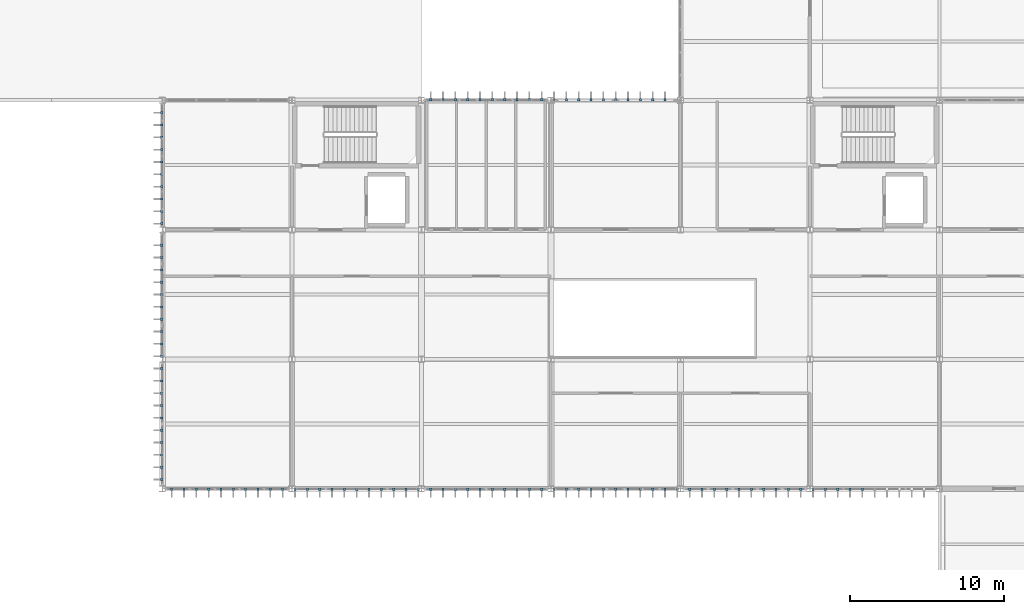
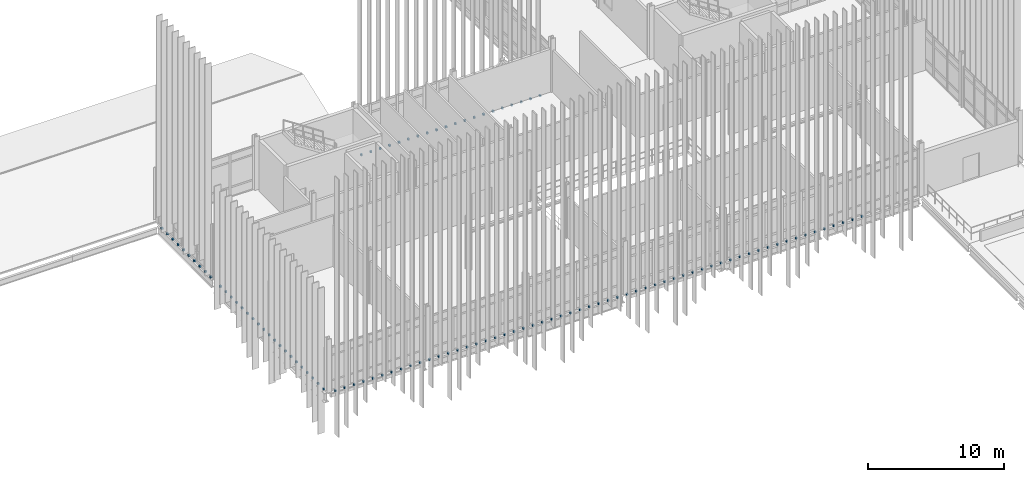
# One storey, part 136 of 153: 107 discrete accessories.
"""IFC4 building model written with IfcOpenShell, lengths in metres."""

from ifc_helpers import new_model, si_unit, direction, frame, origin, origin_2d, place, context, subcontext, project, spatial, rectangle, extrude, material, type_object, element, save


model = new_model("IFC4")

# Units and contexts
model_context = context("Model", 3, precision=1e-05, world=origin(), true_north=direction((0.0, 1.0)))
body_context = subcontext(model_context, "Body", "Model", "MODEL_VIEW")
ifc_project = project(units=[si_unit("LENGTHUNIT", "METRE"), si_unit("AREAUNIT", "SQUARE_METRE"), si_unit("VOLUMEUNIT", "CUBIC_METRE"), si_unit("PLANEANGLEUNIT", "RADIAN"), si_unit("MASSUNIT", "GRAM", prefix="KILO")], contexts=[model_context])

# Site, building, storey
site_placement = place(None, origin())
site = spatial("IfcSite", under=ifc_project, at=site_placement, CompositionType="ELEMENT")
building_placement = place(site_placement, origin())
building = spatial("IfcBuilding", under=site, at=building_placement, Name="Calvrana Isthmian Art Gallery", CompositionType="ELEMENT")
storey_placement = place(building_placement, frame((0.0, 0.0, 10.199951171875)))
storey = spatial("IfcBuildingStorey", under=building, at=storey_placement, Name="L02", CompositionType="ELEMENT", Elevation=10.199951171875)

# Discrete accessories
ifc_material = material(Name="Stainless steel 316", Category="steel")
discrete_accessory_type = type_object("IfcDiscreteAccessoryType", Name="ACC-BRK-FIN", PredefinedType="BRACKET", material=ifc_material)
for number, where, z_axis, x_axis, name in (
    (1, (22.199951171875, 21.56005859375, -0.19970703125), (0.0, 0.0, 1.0), (1.0, 0.0, 0.0), "Solar fin outrigger bracket V1_S-000"),
    (2, (23.0, 21.56005859375, -0.19970703125), (0.0, 0.0, 1.0), (1.0, 0.0, 0.0), "Solar fin outrigger bracket V1_S-001"),
    (3, (23.800048828125, 21.56005859375, -0.19970703125), (0.0, 0.0, 1.0), (1.0, 0.0, 0.0), "Solar fin outrigger bracket V1_S-002"),
    (4, (24.60009765625, 21.56005859375, -0.19970703125), (0.0, 0.0, 1.0), (1.0, 0.0, 0.0), "Solar fin outrigger bracket V1_S-003"),
    (5, (25.39990234375, 21.56005859375, -0.19970703125), (0.0, 0.0, 1.0), (1.0, 0.0, 0.0), "Solar fin outrigger bracket V1_S-004"),
    (6, (26.199951171875, 21.56005859375, -0.19970703125), (0.0, 0.0, 1.0), (1.0, 0.0, 0.0), "Solar fin outrigger bracket V1_S-005"),
    (7, (27.0, 21.56005859375, -0.19970703125), (0.0, 0.0, 1.0), (1.0, 0.0, 0.0), "Solar fin outrigger bracket V1_S-006"),
    (8, (27.800048828125, 21.56005859375, -0.19970703125), (0.0, 0.0, 1.0), (1.0, 0.0, 0.0), "Solar fin outrigger bracket V1_S-007"),
    (9, (28.60009765625, 21.56005859375, -0.19970703125), (0.0, 0.0, 1.0), (1.0, 0.0, 0.0), "Solar fin outrigger bracket V1_S-008"),
    (10, (29.39990234375, 21.56005859375, -0.19970703125), (0.0, 0.0, 1.0), (1.0, 0.0, 0.0), "Solar fin outrigger bracket V1_S-009"),
    (11, (30.199951171875, 21.56005859375, -0.19970703125), (0.0, 0.0, 1.0), (1.0, 0.0, 0.0), "Solar fin outrigger bracket V1_S-010"),
    (12, (31.0, 21.56005859375, -0.19970703125), (0.0, 0.0, 1.0), (1.0, 0.0, 0.0), "Solar fin outrigger bracket V1_S-011"),
    (13, (31.800048828125, 21.56005859375, -0.19970703125), (0.0, 0.0, 1.0), (1.0, 0.0, 0.0), "Solar fin outrigger bracket V1_S-012"),
    (14, (32.60009765625, 21.56005859375, -0.19970703125), (0.0, 0.0, 1.0), (1.0, 0.0, 0.0), "Solar fin outrigger bracket V1_S-013"),
    (15, (33.39990234375, 21.56005859375, -0.19970703125), (0.0, 0.0, 1.0), (1.0, 0.0, 0.0), "Solar fin outrigger bracket V1_S-014"),
    (16, (34.199951171875, 21.56005859375, -0.19970703125), (0.0, 0.0, 1.0), (1.0, 0.0, 0.0), "Solar fin outrigger bracket V1_S-015"),
    (17, (35.0, 21.56005859375, -0.19970703125), (0.0, 0.0, 1.0), (1.0, 0.0, 0.0), "Solar fin outrigger bracket V1_S-016"),
    (18, (35.800048828125, 21.56005859375, -0.19970703125), (0.0, 0.0, 1.0), (1.0, 0.0, 0.0), "Solar fin outrigger bracket V1_S-017"),
    (19, (36.60009765625, 21.56005859375, -0.19970703125), (0.0, 0.0, 1.0), (1.0, 0.0, 0.0), "Solar fin outrigger bracket V1_S-018"),
    (20, (37.39990234375, 21.56005859375, -0.19970703125), (0.0, 0.0, 1.0), (1.0, 0.0, 0.0), "Solar fin outrigger bracket V1_S-019"),
    (21, (38.199951171875, 21.56005859375, -0.19970703125), (0.0, 0.0, 1.0), (1.0, 0.0, 0.0), "Solar fin outrigger bracket V1_S-020"),
    (22, (39.0, 21.56005859375, -0.19970703125), (0.0, 0.0, 1.0), (1.0, 0.0, 0.0), "Solar fin outrigger bracket V1_S-021"),
    (23, (39.800048828125, 21.56005859375, -0.19970703125), (0.0, 0.0, 1.0), (1.0, 0.0, 0.0), "Solar fin outrigger bracket V1_S-022"),
    (24, (40.60009765625, 21.56005859375, -0.19970703125), (0.0, 0.0, 1.0), (1.0, 0.0, 0.0), "Solar fin outrigger bracket V1_S-023"),
    (25, (41.39990234375, 21.56005859375, -0.19970703125), (0.0, 0.0, 1.0), (1.0, 0.0, 0.0), "Solar fin outrigger bracket V1_S-024"),
    (26, (42.199951171875, 21.56005859375, -0.19970703125), (0.0, 0.0, 1.0), (1.0, 0.0, 0.0), "Solar fin outrigger bracket V1_S-025"),
    (27, (43.0, 21.56005859375, -0.19970703125), (0.0, 0.0, 1.0), (1.0, 0.0, 0.0), "Solar fin outrigger bracket V1_S-026"),
    (28, (43.800048828125, 21.56005859375, -0.19970703125), (0.0, 0.0, 1.0), (1.0, 0.0, 0.0), "Solar fin outrigger bracket V1_S-027"),
    (29, (44.60009765625, 21.56005859375, -0.19970703125), (0.0, 0.0, 1.0), (1.0, 0.0, 0.0), "Solar fin outrigger bracket V1_S-028"),
    (30, (45.39990234375, 21.56005859375, -0.19970703125), (0.0, 0.0, 1.0), (1.0, 0.0, 0.0), "Solar fin outrigger bracket V1_S-029"),
    (31, (46.199951171875, 21.56005859375, -0.19970703125), (0.0, 0.0, 1.0), (1.0, 0.0, 0.0), "Solar fin outrigger bracket V1_S-030"),
    (32, (47.0, 21.56005859375, -0.19970703125), (0.0, 0.0, 1.0), (1.0, 0.0, 0.0), "Solar fin outrigger bracket V1_S-031"),
    (33, (47.800048828125, 21.56005859375, -0.19970703125), (0.0, 0.0, 1.0), (1.0, 0.0, 0.0), "Solar fin outrigger bracket V1_S-032"),
    (34, (48.60009765625, 21.56005859375, -0.19970703125), (0.0, 0.0, 1.0), (1.0, 0.0, 0.0), "Solar fin outrigger bracket V1_S-033"),
    (35, (49.39990234375, 21.56005859375, -0.19970703125), (0.0, 0.0, 1.0), (1.0, 0.0, 0.0), "Solar fin outrigger bracket V1_S-034"),
    (36, (50.199951171875, 21.56005859375, -0.19970703125), (0.0, 0.0, 1.0), (1.0, 0.0, 0.0), "Solar fin outrigger bracket V1_S-035"),
    (37, (51.0, 21.56005859375, -0.19970703125), (0.0, 0.0, 1.0), (1.0, 0.0, 0.0), "Solar fin outrigger bracket V1_S-036"),
    (38, (51.800048828125, 21.56005859375, -0.19970703125), (0.0, 0.0, 1.0), (1.0, 0.0, 0.0), "Solar fin outrigger bracket V1_S-037"),
    (39, (52.60009765625, 21.56005859375, -0.19970703125), (0.0, 0.0, 1.0), (1.0, 0.0, 0.0), "Solar fin outrigger bracket V1_S-038"),
    (40, (53.39990234375, 21.56005859375, -0.19970703125), (0.0, 0.0, 1.0), (1.0, 0.0, 0.0), "Solar fin outrigger bracket V1_S-039"),
    (41, (54.199951171875, 21.56005859375, -0.19970703125), (0.0, 0.0, 1.0), (1.0, 0.0, 0.0), "Solar fin outrigger bracket V1_S-040"),
    (42, (55.0, 21.56005859375, -0.19970703125), (0.0, 0.0, 1.0), (1.0, 0.0, 0.0), "Solar fin outrigger bracket V1_S-041"),
    (43, (55.800048828125, 21.56005859375, -0.19970703125), (0.0, 0.0, 1.0), (1.0, 0.0, 0.0), "Solar fin outrigger bracket V1_S-042"),
    (44, (56.60009765625, 21.56005859375, -0.19970703125), (0.0, 0.0, 1.0), (1.0, 0.0, 0.0), "Solar fin outrigger bracket V1_S-043"),
    (45, (57.39990234375, 21.56005859375, -0.19970703125), (0.0, 0.0, 1.0), (1.0, 0.0, 0.0), "Solar fin outrigger bracket V1_S-044"),
    (46, (58.199951171875, 21.56005859375, -0.19970703125), (0.0, 0.0, 1.0), (1.0, 0.0, 0.0), "Solar fin outrigger bracket V1_S-045"),
    (47, (59.0, 21.56005859375, -0.19970703125), (0.0, 0.0, 1.0), (1.0, 0.0, 0.0), "Solar fin outrigger bracket V1_S-046"),
    (48, (59.800048828125, 21.56005859375, -0.19970703125), (0.0, 0.0, 1.0), (1.0, 0.0, 0.0), "Solar fin outrigger bracket V1_S-047"),
    (49, (60.60009765625, 21.56005859375, -0.19970703125), (0.0, 0.0, 1.0), (1.0, 0.0, 0.0), "Solar fin outrigger bracket V1_S-048"),
    (50, (61.39990234375, 21.56005859375, -0.19970703125), (0.0, 0.0, 1.0), (1.0, 0.0, 0.0), "Solar fin outrigger bracket V1_S-049"),
    (51, (62.199951171875, 21.56005859375, -0.19970703125), (0.0, 0.0, 1.0), (1.0, 0.0, 0.0), "Solar fin outrigger bracket V1_S-050"),
    (52, (63.0, 21.56005859375, -0.19970703125), (0.0, 0.0, 1.0), (1.0, 0.0, 0.0), "Solar fin outrigger bracket V1_S-051"),
    (53, (63.800048828125, 21.56005859375, -0.19970703125), (0.0, 0.0, 1.0), (1.0, 0.0, 0.0), "Solar fin outrigger bracket V1_S-052"),
    (54, (64.60009765625, 21.56005859375, -0.19970703125), (0.0, 0.0, 1.0), (1.0, 0.0, 0.0), "Solar fin outrigger bracket V1_S-053"),
    (55, (65.39990234375, 21.56005859375, -0.19970703125), (0.0, 0.0, 1.0), (1.0, 0.0, 0.0), "Solar fin outrigger bracket V1_S-054"),
    (56, (66.199951171875, 21.56005859375, -0.19970703125), (0.0, 0.0, 1.0), (1.0, 0.0, 0.0), "Solar fin outrigger bracket V1_S-055"),
    (57, (67.0, 21.56005859375, -0.19970703125), (0.0, 0.0, 1.0), (1.0, 0.0, 0.0), "Solar fin outrigger bracket V1_S-056"),
    (58, (39.0, 46.840087890625, -0.19970703125), (0.0, 0.0, 1.0), (1.0, 0.0, 0.0), "Solar fin outrigger bracket V1_NC-000"),
    (59, (39.800048828125, 46.840087890625, -0.19970703125), (0.0, 0.0, 1.0), (1.0, 0.0, 0.0), "Solar fin outrigger bracket V1_NC-001"),
    (60, (40.60009765625, 46.840087890625, -0.19970703125), (0.0, 0.0, 1.0), (1.0, 0.0, 0.0), "Solar fin outrigger bracket V1_NC-002"),
    (61, (41.39990234375, 46.840087890625, -0.19970703125), (0.0, 0.0, 1.0), (1.0, 0.0, 0.0), "Solar fin outrigger bracket V1_NC-003"),
    (62, (42.199951171875, 46.840087890625, -0.19970703125), (0.0, 0.0, 1.0), (1.0, 0.0, 0.0), "Solar fin outrigger bracket V1_NC-004"),
    (63, (43.0, 46.840087890625, -0.19970703125), (0.0, 0.0, 1.0), (1.0, 0.0, 0.0), "Solar fin outrigger bracket V1_NC-005"),
    (64, (43.800048828125, 46.840087890625, -0.19970703125), (0.0, 0.0, 1.0), (1.0, 0.0, 0.0), "Solar fin outrigger bracket V1_NC-006"),
    (65, (44.60009765625, 46.840087890625, -0.19970703125), (0.0, 0.0, 1.0), (1.0, 0.0, 0.0), "Solar fin outrigger bracket V1_NC-007"),
    (66, (45.39990234375, 46.840087890625, -0.19970703125), (0.0, 0.0, 1.0), (1.0, 0.0, 0.0), "Solar fin outrigger bracket V1_NC-008"),
    (67, (46.199951171875, 46.840087890625, -0.19970703125), (0.0, 0.0, 1.0), (1.0, 0.0, 0.0), "Solar fin outrigger bracket V1_NC-009"),
    (68, (47.0, 46.840087890625, -0.19970703125), (0.0, 0.0, 1.0), (1.0, 0.0, 0.0), "Solar fin outrigger bracket V1_NC-010"),
    (69, (47.800048828125, 46.840087890625, -0.19970703125), (0.0, 0.0, 1.0), (1.0, 0.0, 0.0), "Solar fin outrigger bracket V1_NC-011"),
    (70, (48.60009765625, 46.840087890625, -0.19970703125), (0.0, 0.0, 1.0), (1.0, 0.0, 0.0), "Solar fin outrigger bracket V1_NC-012"),
    (71, (49.39990234375, 46.840087890625, -0.19970703125), (0.0, 0.0, 1.0), (1.0, 0.0, 0.0), "Solar fin outrigger bracket V1_NC-013"),
    (72, (50.199951171875, 46.840087890625, -0.19970703125), (0.0, 0.0, 1.0), (1.0, 0.0, 0.0), "Solar fin outrigger bracket V1_NC-014"),
    (73, (51.0, 46.840087890625, -0.19970703125), (0.0, 0.0, 1.0), (1.0, 0.0, 0.0), "Solar fin outrigger bracket V1_NC-015"),
    (74, (51.800048828125, 46.840087890625, -0.19970703125), (0.0, 0.0, 1.0), (1.0, 0.0, 0.0), "Solar fin outrigger bracket V1_NC-016"),
    (75, (52.60009765625, 46.840087890625, -0.19970703125), (0.0, 0.0, 1.0), (1.0, 0.0, 0.0), "Solar fin outrigger bracket V1_NC-017"),
    (76, (53.39990234375, 46.840087890625, -0.19970703125), (0.0, 0.0, 1.0), (1.0, 0.0, 0.0), "Solar fin outrigger bracket V1_NC-018"),
    (77, (54.199951171875, 46.840087890625, -0.19970703125), (0.0, 0.0, 1.0), (1.0, 0.0, 0.0), "Solar fin outrigger bracket V1_NC-019"),
):
    element("IfcDiscreteAccessory", number, at=place(storey_placement, frame(where, z_axis=z_axis, x_axis=x_axis)), inside=storey, type_object=discrete_accessory_type, Name=name, PredefinedType="BRACKET", context=body_context, shape_type="SweptSolid", body=[
        extrude(rectangle(XDim=0.139892578125, YDim=0.159912109375, at=origin_2d()), origin(), (0.0, 0.0, 1.0), 0.159912109375),
    ])
for number, where, z_axis, x_axis, name in (
    (78, (21.56005859375, 38.800048828125, -0.19970703125), (0.0, 0.0, 1.0), (1.0, 0.0, 0.0), "Solar fin outrigger bracket V1_WN-000"),
    (79, (21.56005859375, 39.60009765625, -0.19970703125), (0.0, 0.0, 1.0), (1.0, 0.0, 0.0), "Solar fin outrigger bracket V1_WN-001"),
    (80, (21.56005859375, 40.39990234375, -0.19970703125), (0.0, 0.0, 1.0), (1.0, 0.0, 0.0), "Solar fin outrigger bracket V1_WN-002"),
    (81, (21.56005859375, 41.199951171875, -0.19970703125), (0.0, 0.0, 1.0), (1.0, 0.0, 0.0), "Solar fin outrigger bracket V1_WN-003"),
    (82, (21.56005859375, 42.0, -0.19970703125), (0.0, 0.0, 1.0), (1.0, 0.0, 0.0), "Solar fin outrigger bracket V1_WN-004"),
    (83, (21.56005859375, 42.800048828125, -0.19970703125), (0.0, 0.0, 1.0), (1.0, 0.0, 0.0), "Solar fin outrigger bracket V1_WN-005"),
    (84, (21.56005859375, 43.60009765625, -0.19970703125), (0.0, 0.0, 1.0), (1.0, 0.0, 0.0), "Solar fin outrigger bracket V1_WN-006"),
    (85, (21.56005859375, 44.39990234375, -0.19970703125), (0.0, 0.0, 1.0), (1.0, 0.0, 0.0), "Solar fin outrigger bracket V1_WN-007"),
    (86, (21.56005859375, 45.199951171875, -0.19970703125), (0.0, 0.0, 1.0), (1.0, 0.0, 0.0), "Solar fin outrigger bracket V1_WN-008"),
    (87, (21.56005859375, 46.0, -0.19970703125), (0.0, 0.0, 1.0), (1.0, 0.0, 0.0), "Solar fin outrigger bracket V1_WN-009"),
    (88, (21.56005859375, 22.199951171875, -0.19970703125), (0.0, 0.0, 1.0), (1.0, 0.0, 0.0), "Solar fin outrigger bracket V1_WS-000"),
    (89, (21.56005859375, 23.0, -0.19970703125), (0.0, 0.0, 1.0), (1.0, 0.0, 0.0), "Solar fin outrigger bracket V1_WS-001"),
    (90, (21.56005859375, 23.800048828125, -0.19970703125), (0.0, 0.0, 1.0), (1.0, 0.0, 0.0), "Solar fin outrigger bracket V1_WS-002"),
    (91, (21.56005859375, 24.60009765625, -0.19970703125), (0.0, 0.0, 1.0), (1.0, 0.0, 0.0), "Solar fin outrigger bracket V1_WS-003"),
    (92, (21.56005859375, 25.39990234375, -0.19970703125), (0.0, 0.0, 1.0), (1.0, 0.0, 0.0), "Solar fin outrigger bracket V1_WS-004"),
    (93, (21.56005859375, 26.199951171875, -0.19970703125), (0.0, 0.0, 1.0), (1.0, 0.0, 0.0), "Solar fin outrigger bracket V1_WS-005"),
    (94, (21.56005859375, 27.0, -0.19970703125), (0.0, 0.0, 1.0), (1.0, 0.0, 0.0), "Solar fin outrigger bracket V1_WS-006"),
    (95, (21.56005859375, 27.800048828125, -0.19970703125), (0.0, 0.0, 1.0), (1.0, 0.0, 0.0), "Solar fin outrigger bracket V1_WS-007"),
    (96, (21.56005859375, 28.60009765625, -0.19970703125), (0.0, 0.0, 1.0), (1.0, 0.0, 0.0), "Solar fin outrigger bracket V1_WS-008"),
    (97, (21.56005859375, 29.39990234375, -0.19970703125), (0.0, 0.0, 1.0), (1.0, 0.0, 0.0), "Solar fin outrigger bracket V1_WS-009"),
    (98, (21.56005859375, 30.199951171875, -0.19970703125), (0.0, 0.0, 1.0), (1.0, 0.0, 0.0), "Solar fin outrigger bracket V1_WS-010"),
    (99, (21.56005859375, 31.0, -0.19970703125), (0.0, 0.0, 1.0), (1.0, 0.0, 0.0), "Solar fin outrigger bracket V1_WS-011"),
    (100, (21.56005859375, 31.800048828125, -0.19970703125), (0.0, 0.0, 1.0), (1.0, 0.0, 0.0), "Solar fin outrigger bracket V1_WS-012"),
    (101, (21.56005859375, 32.60009765625, -0.19970703125), (0.0, 0.0, 1.0), (1.0, 0.0, 0.0), "Solar fin outrigger bracket V1_WS-013"),
    (102, (21.56005859375, 33.39990234375, -0.19970703125), (0.0, 0.0, 1.0), (1.0, 0.0, 0.0), "Solar fin outrigger bracket V1_WS-014"),
    (103, (21.56005859375, 34.199951171875, -0.19970703125), (0.0, 0.0, 1.0), (1.0, 0.0, 0.0), "Solar fin outrigger bracket V1_WS-015"),
    (104, (21.56005859375, 35.0, -0.19970703125), (0.0, 0.0, 1.0), (1.0, 0.0, 0.0), "Solar fin outrigger bracket V1_WS-016"),
    (105, (21.56005859375, 35.800048828125, -0.19970703125), (0.0, 0.0, 1.0), (1.0, 0.0, 0.0), "Solar fin outrigger bracket V1_WS-017"),
    (106, (21.56005859375, 36.60009765625, -0.19970703125), (0.0, 0.0, 1.0), (1.0, 0.0, 0.0), "Solar fin outrigger bracket V1_WS-018"),
    (107, (21.56005859375, 37.39990234375, -0.19970703125), (0.0, 0.0, 1.0), (1.0, 0.0, 0.0), "Solar fin outrigger bracket V1_WS-019"),
):
    element("IfcDiscreteAccessory", number, at=place(storey_placement, frame(where, z_axis=z_axis, x_axis=x_axis)), inside=storey, type_object=discrete_accessory_type, Name=name, PredefinedType="BRACKET", context=body_context, shape_type="SweptSolid", body=[
        extrude(rectangle(XDim=0.159912109375, YDim=0.139892578125, at=origin_2d()), origin(), (0.0, 0.0, 1.0), 0.159912109375),
    ])

save(model, "model.ifc")
